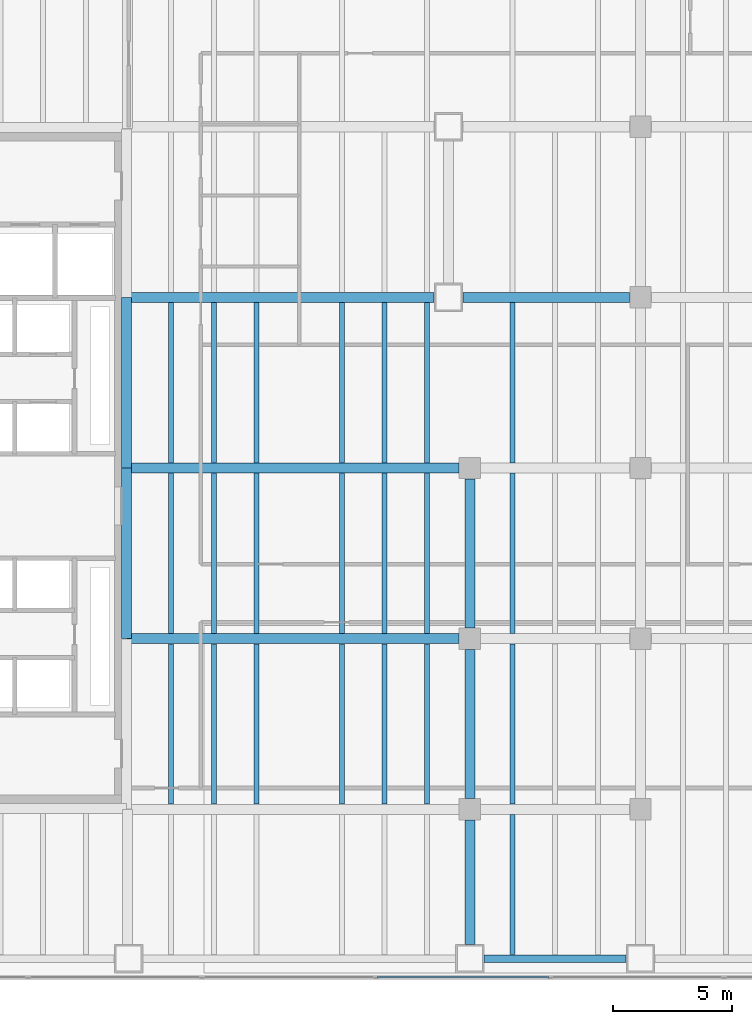
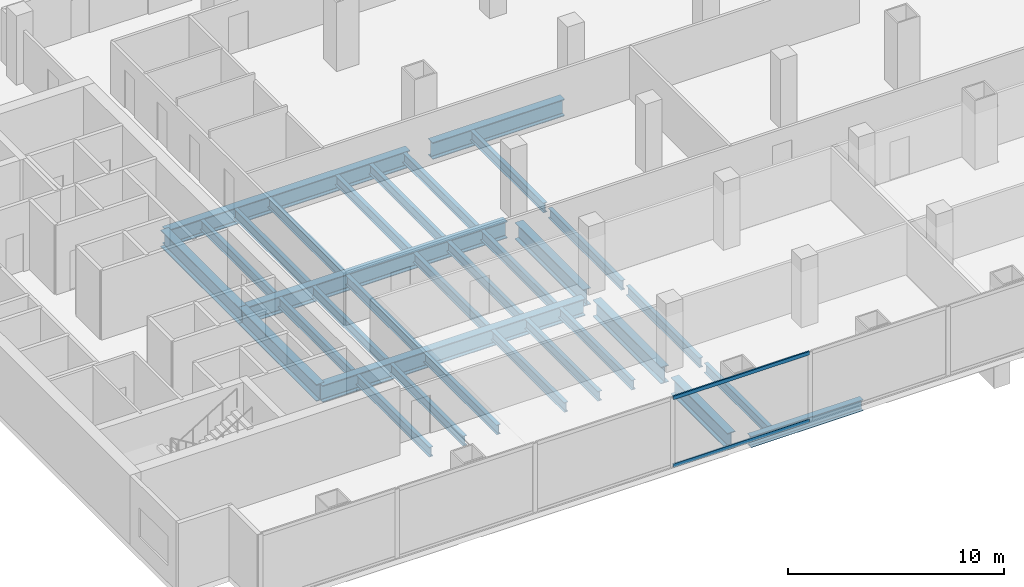
# One storey, part 4 of 34: 32 beams, 2 members, 1 element without a shape of its own.
"""IFC4 building model written with IfcOpenShell, lengths in metres."""

from ifc_helpers import new_model, si_unit, direction, frame, origin, origin_2d, place, context, subcontext, project, spatial, hollow_rectangle, i_section, extrude, material, material_profile, profile_set, type_object, element, aggregate, save


model = new_model("IFC4")

# Units and contexts
model_context = context("Model", 3, precision=1e-05, world=origin(), true_north=direction((0.0, 1.0)))
body_context = subcontext(model_context, "Body", "Model", "MODEL_VIEW")
ifc_project = project(units=[si_unit("LENGTHUNIT", "METRE"), si_unit("AREAUNIT", "SQUARE_METRE"), si_unit("VOLUMEUNIT", "CUBIC_METRE"), si_unit("PLANEANGLEUNIT", "RADIAN"), si_unit("MASSUNIT", "GRAM", prefix="KILO")], contexts=[model_context])

# Site, building, storey
site_placement = place(None, origin())
site = spatial("IfcSite", under=ifc_project, at=site_placement, CompositionType="ELEMENT")
building_placement = place(site_placement, origin())
building = spatial("IfcBuilding", under=site, at=building_placement, Name="Cobrela Telecom Tower", CompositionType="ELEMENT")
storey_placement = place(building_placement, frame((0.0, 0.0, 5.25)))
storey = spatial("IfcBuildingStorey", under=building, at=storey_placement, Name="L01", CompositionType="ELEMENT", Elevation=5.25)

# Beams
ifc_material_1 = material(Name="Steel ASTM A992 Grade 50", Category="steel")
ifc_material_profile_1 = material_profile(ifc_material_1, i_section(OverallWidth=0.424072265625, OverallDepth=0.947021484375, WebThickness=0.02392578125, FlangeThickness=0.042724609375, FilletRadius=0.02392578125, at=origin_2d()), Name="W36X302")
ifc_profile_set_1 = profile_set([ifc_material_profile_1], Name="Steel ASTM A992 Grade 50")
beam_type_1 = type_object("IfcBeamType", Name="BM-GIRD-01", PredefinedType="USERDEFINED", material=ifc_profile_set_1)
for number, where, z_axis, x_axis, name in (
    (1, (14.324951171875, 14.39990234375, -0.7734375), (1.0, 0.0, 0.0), (0.0, 1.0, 0.0), "L01 Primary Girder X14"),
    (2, (14.324951171875, 21.60009765625, -0.7734375), (1.0, 0.0, 0.0), (0.0, 1.0, 0.0), "L01 Primary Girder X23"),
):
    element("IfcBeam", number, at=place(storey_placement, frame(where, z_axis=z_axis, x_axis=x_axis)), inside=storey, type_object=beam_type_1, Name=name, ObjectType="GIRDER", PredefinedType="USERDEFINED", context=body_context, shape_type="SweptSolid", body=[
        extrude(i_section(OverallWidth=0.424072265625, OverallDepth=0.947021484375, WebThickness=0.02392578125, FlangeThickness=0.042724609375, FilletRadius=0.02392578125, at=origin_2d()), origin(), (0.0, 0.0, 1.0), 14.02001953125),
    ])
beam_1_placement = place(storey_placement, frame((14.324951171875, 28.800048828125, -0.7734375), z_axis=(1.0, 0.0, 0.0), x_axis=(0.0, 1.0, 0.0)))
element("IfcBeam", 3, at=beam_1_placement, inside=storey, type_object=beam_type_1, Name="L01 Primary Girder X32", ObjectType="GIRDER", PredefinedType="USERDEFINED", context=body_context, shape_type="SweptSolid", body=[
    extrude(i_section(OverallWidth=0.424072265625, OverallDepth=0.947021484375, WebThickness=0.02392578125, FlangeThickness=0.042724609375, FilletRadius=0.02392578125, at=origin_2d()), origin(), (0.0, 0.0, 1.0), 12.969970703125),
])
beam_2_placement = place(storey_placement, frame((28.5048828125, 28.800048828125, -0.7734375), z_axis=(1.0, 0.0, 0.0), x_axis=(0.0, 1.0, 0.0)))
element("IfcBeam", 4, at=beam_2_placement, inside=storey, type_object=beam_type_1, Name="L01 Primary Girder X33", ObjectType="GIRDER", PredefinedType="USERDEFINED", context=body_context, shape_type="SweptSolid", body=[
    extrude(i_section(OverallWidth=0.424072265625, OverallDepth=0.947021484375, WebThickness=0.02392578125, FlangeThickness=0.042724609375, FilletRadius=0.02392578125, at=origin_2d()), origin(), (0.0, 0.0, 1.0), 7.0400390625),
])
for number, where, z_axis, x_axis, name in (
    (5, (14.320068359375, 14.405029296875, -0.7734375), (0.0, 1.0, 0.0), (-1.0, 0.0, 0.0), "L01 Primary Girder Y56"),
    (6, (14.320068359375, 21.60498046875, -0.7734375), (0.0, 1.0, 0.0), (-1.0, 0.0, 0.0), "L01 Primary Girder Y57"),
):
    element("IfcBeam", number, at=place(storey_placement, frame(where, z_axis=z_axis, x_axis=x_axis)), inside=storey, type_object=beam_type_1, Name=name, ObjectType="GIRDER", PredefinedType="USERDEFINED", context=body_context, shape_type="SweptSolid", body=[
        extrude(i_section(OverallWidth=0.424072265625, OverallDepth=0.947021484375, WebThickness=0.02392578125, FlangeThickness=0.042724609375, FilletRadius=0.02392578125, at=origin_2d()), origin(), (0.0, 0.0, 1.0), 7.18994140625),
    ])
beam_3_placement = place(storey_placement, frame((28.800048828125, 1.5048828125, -0.7734375), z_axis=(0.0, 1.0, 0.0), x_axis=(-1.0, 0.0, 0.0)))
element("IfcBeam", 7, at=beam_3_placement, inside=storey, type_object=beam_type_1, Name="L01 Primary Girder Y62", ObjectType="GIRDER", PredefinedType="USERDEFINED", context=body_context, shape_type="SweptSolid", body=[
    extrude(i_section(OverallWidth=0.424072265625, OverallDepth=0.947021484375, WebThickness=0.02392578125, FlangeThickness=0.042724609375, FilletRadius=0.02392578125, at=origin_2d()), origin(), (0.0, 0.0, 1.0), 5.240234375),
])
for number, where, z_axis, x_axis, name in (
    (8, (28.800048828125, 7.655029296875, -0.7734375), (0.0, 1.0, 0.0), (-1.0, 0.0, 0.0), "L01 Primary Girder Y63"),
    (9, (28.800048828125, 14.85498046875, -0.7734375), (0.0, 1.0, 0.0), (-1.0, 0.0, 0.0), "L01 Primary Girder Y64"),
):
    element("IfcBeam", number, at=place(storey_placement, frame(where, z_axis=z_axis, x_axis=x_axis)), inside=storey, type_object=beam_type_1, Name=name, ObjectType="GIRDER", PredefinedType="USERDEFINED", context=body_context, shape_type="SweptSolid", body=[
        extrude(i_section(OverallWidth=0.424072265625, OverallDepth=0.947021484375, WebThickness=0.02392578125, FlangeThickness=0.042724609375, FilletRadius=0.02392578125, at=origin_2d()), origin(), (0.0, 0.0, 1.0), 6.2900390625),
    ])
ifc_material_profile_2 = material_profile(ifc_material_1, i_section(OverallWidth=0.212890625, OverallDepth=0.549072265625, WebThickness=0.0146484375, FlangeThickness=0.023681640625, FilletRadius=0.013916015625, at=origin_2d()), Name="W21X93")
ifc_profile_set_2 = profile_set([ifc_material_profile_2], Name="Steel ASTM A992 Grade 50")
beam_type_2 = type_object("IfcBeamType", Name="BM-JOIST-01", PredefinedType="JOIST", material=ifc_profile_set_2)
for number, where, z_axis, x_axis, name in (
    (10, (16.199951171875, 7.4169921875, -0.574462890625), (0.0, 1.0, 0.0), (-1.0, 0.0, 0.0), "L01 Secondary Composite Floor Beam J14"),
    (11, (16.199951171875, 14.616943359375, -0.574462890625), (0.0, 1.0, 0.0), (-1.0, 0.0, 0.0), "L01 Secondary Composite Floor Beam J15"),
    (12, (16.199951171875, 21.81689453125, -0.574462890625), (0.0, 1.0, 0.0), (-1.0, 0.0, 0.0), "L01 Secondary Composite Floor Beam J16"),
    (13, (18.0, 7.4169921875, -0.574462890625), (0.0, 1.0, 0.0), (-1.0, 0.0, 0.0), "L01 Secondary Composite Floor Beam J21"),
    (14, (18.0, 14.616943359375, -0.574462890625), (0.0, 1.0, 0.0), (-1.0, 0.0, 0.0), "L01 Secondary Composite Floor Beam J22"),
    (15, (18.0, 21.81689453125, -0.574462890625), (0.0, 1.0, 0.0), (-1.0, 0.0, 0.0), "L01 Secondary Composite Floor Beam J23"),
    (16, (19.800048828125, 7.4169921875, -0.574462890625), (0.0, 1.0, 0.0), (-1.0, 0.0, 0.0), "L01 Secondary Composite Floor Beam J28"),
    (17, (19.800048828125, 14.616943359375, -0.574462890625), (0.0, 1.0, 0.0), (-1.0, 0.0, 0.0), "L01 Secondary Composite Floor Beam J29"),
    (18, (19.800048828125, 21.81689453125, -0.574462890625), (0.0, 1.0, 0.0), (-1.0, 0.0, 0.0), "L01 Secondary Composite Floor Beam J30"),
    (19, (23.39990234375, 7.4169921875, -0.574462890625), (0.0, 1.0, 0.0), (-1.0, 0.0, 0.0), "L01 Secondary Composite Floor Beam J35"),
    (20, (23.39990234375, 14.616943359375, -0.574462890625), (0.0, 1.0, 0.0), (-1.0, 0.0, 0.0), "L01 Secondary Composite Floor Beam J36"),
    (21, (23.39990234375, 21.81689453125, -0.574462890625), (0.0, 1.0, 0.0), (-1.0, 0.0, 0.0), "L01 Secondary Composite Floor Beam J37"),
    (22, (25.199951171875, 7.4169921875, -0.574462890625), (0.0, 1.0, 0.0), (-1.0, 0.0, 0.0), "L01 Secondary Composite Floor Beam J41"),
    (23, (25.199951171875, 14.616943359375, -0.574462890625), (0.0, 1.0, 0.0), (-1.0, 0.0, 0.0), "L01 Secondary Composite Floor Beam J42"),
    (24, (25.199951171875, 21.81689453125, -0.574462890625), (0.0, 1.0, 0.0), (-1.0, 0.0, 0.0), "L01 Secondary Composite Floor Beam J43"),
    (25, (27.0, 7.4169921875, -0.574462890625), (0.0, 1.0, 0.0), (-1.0, 0.0, 0.0), "L01 Secondary Composite Floor Beam J46"),
    (26, (27.0, 14.616943359375, -0.574462890625), (0.0, 1.0, 0.0), (-1.0, 0.0, 0.0), "L01 Secondary Composite Floor Beam J47"),
    (27, (27.0, 21.81689453125, -0.574462890625), (0.0, 1.0, 0.0), (-1.0, 0.0, 0.0), "L01 Secondary Composite Floor Beam J48"),
):
    element("IfcBeam", number, at=place(storey_placement, frame(where, z_axis=z_axis, x_axis=x_axis)), inside=storey, type_object=beam_type_2, Name=name, PredefinedType="JOIST", context=body_context, shape_type="SweptSolid", body=[
        extrude(i_section(OverallWidth=0.212890625, OverallDepth=0.549072265625, WebThickness=0.0146484375, FlangeThickness=0.023681640625, FilletRadius=0.013916015625, at=origin_2d()), origin(), (0.0, 0.0, 1.0), 6.76611328125),
    ])
beam_4_placement = place(storey_placement, frame((30.60009765625, 1.069091796875, -0.574462890625), z_axis=(0.0, 1.0, 0.0), x_axis=(-1.0, 0.0, 0.0)))
element("IfcBeam", 28, at=beam_4_placement, inside=storey, type_object=beam_type_2, Name="L01 Secondary Composite Floor Beam J51", PredefinedType="JOIST", context=body_context, shape_type="SweptSolid", body=[
    extrude(i_section(OverallWidth=0.212890625, OverallDepth=0.549072265625, WebThickness=0.0146484375, FlangeThickness=0.023681640625, FilletRadius=0.013916015625, at=origin_2d()), origin(), (0.0, 0.0, 1.0), 5.913818359375),
])
for number, where, z_axis, x_axis, name in (
    (29, (30.60009765625, 7.4169921875, -0.574462890625), (0.0, 1.0, 0.0), (-1.0, 0.0, 0.0), "L01 Secondary Composite Floor Beam J52"),
    (30, (30.60009765625, 14.616943359375, -0.574462890625), (0.0, 1.0, 0.0), (-1.0, 0.0, 0.0), "L01 Secondary Composite Floor Beam J53"),
    (31, (30.60009765625, 21.81689453125, -0.574462890625), (0.0, 1.0, 0.0), (-1.0, 0.0, 0.0), "L01 Secondary Composite Floor Beam J54"),
):
    element("IfcBeam", number, at=place(storey_placement, frame(where, z_axis=z_axis, x_axis=x_axis)), inside=storey, type_object=beam_type_2, Name=name, PredefinedType="JOIST", context=body_context, shape_type="SweptSolid", body=[
        extrude(i_section(OverallWidth=0.212890625, OverallDepth=0.549072265625, WebThickness=0.0146484375, FlangeThickness=0.023681640625, FilletRadius=0.013916015625, at=origin_2d()), origin(), (0.0, 0.0, 1.0), 6.76611328125),
    ])
ifc_material_profile_3 = material_profile(ifc_material_1, i_section(OverallWidth=0.327880859375, OverallDepth=0.6220703125, WebThickness=0.015380859375, FlangeThickness=0.0244140625, FilletRadius=0.014892578125, at=origin_2d()), Name="W24X131")
ifc_profile_set_3 = profile_set([ifc_material_profile_3], Name="Steel ASTM A992 Grade 50")
beam_type_3 = type_object("IfcBeamType", Name="BM-SPAND-01", PredefinedType="SPANDREL", material=ifc_profile_set_3)
beam_5_placement = place(storey_placement, frame((29.405029296875, 0.89990234375, -0.611083984375), z_axis=(1.0, 0.0, 0.0), x_axis=(0.0, 1.0, 0.0)))
element("IfcBeam", 32, at=beam_5_placement, inside=storey, type_object=beam_type_3, Name="L01 Perimeter Spandrel X03", PredefinedType="SPANDREL", context=body_context, shape_type="SweptSolid", body=[
    extrude(i_section(OverallWidth=0.327880859375, OverallDepth=0.6220703125, WebThickness=0.015380859375, FlangeThickness=0.0244140625, FilletRadius=0.014892578125, at=origin_2d()), origin(), (0.0, 0.0, 1.0), 5.989990234375),
])

# Curtain wall, members
ifc_material_2 = material(Name="Anodized Bronze Aluminium 6063-T6", Category="aluminium")
curtain_wall_type = type_object("IfcCurtainWallType", Name="CW-SYS-CONC", PredefinedType="USERDEFINED", material=ifc_material_2)
curtain_wall_placement = place(storey_placement, origin())
curtain_wall = element("IfcCurtainWall", 33, at=curtain_wall_placement, inside=storey, type_object=curtain_wall_type, Name="L01 Unitised Bronze Curtain Wall 17", ObjectType="UNITISED CURTAIN WALL", PredefinedType="USERDEFINED")
ifc_material_profile_4 = material_profile(ifc_material_2, hollow_rectangle(XDim=0.080078125, YDim=0.199951171875, WallThickness=0.00390625, at=origin_2d()), Name="ALU 80x200x4")
ifc_profile_set_4 = profile_set([ifc_material_profile_4], Name="Anodized Bronze Aluminium 6063-T6")
member_type = type_object("IfcMemberType", Name="CW-SYS-CONC-TRN", PredefinedType="USERDEFINED", material=ifc_profile_set_4)
member_1_placement = place(storey_placement, frame((32.147216796875, 0.1201171875, 0.0400390625), z_axis=(-1.0, 0.0, 0.0), x_axis=(0.0, -1.0, 0.0)))
member_1 = element("IfcMember", 34, at=member_1_placement, type_object=member_type, Name="CW-CONC transom 8.1", ObjectType="TRANSOM", PredefinedType="USERDEFINED", context=body_context, shape_type="SweptSolid", body=[
    extrude(hollow_rectangle(XDim=0.080078125, YDim=0.199951171875, WallThickness=0.00390625, at=origin_2d()), origin(), (0.0, 0.0, 1.0), 7.26171875),
])
member_2_placement = place(storey_placement, frame((32.147216796875, 0.1201171875, 3.860107421875), z_axis=(-1.0, 0.0, 0.0), x_axis=(0.0, -1.0, 0.0)))
member_2 = element("IfcMember", 35, at=member_2_placement, type_object=member_type, Name="CW-CONC transom 8.2", ObjectType="TRANSOM", PredefinedType="USERDEFINED", context=body_context, shape_type="SweptSolid", body=[
    extrude(hollow_rectangle(XDim=0.080078125, YDim=0.199951171875, WallThickness=0.00390625, at=origin_2d()), origin(), (0.0, 0.0, 1.0), 7.26171875),
])
aggregate(curtain_wall, [member_1, member_2])

save(model, "model.ifc")
